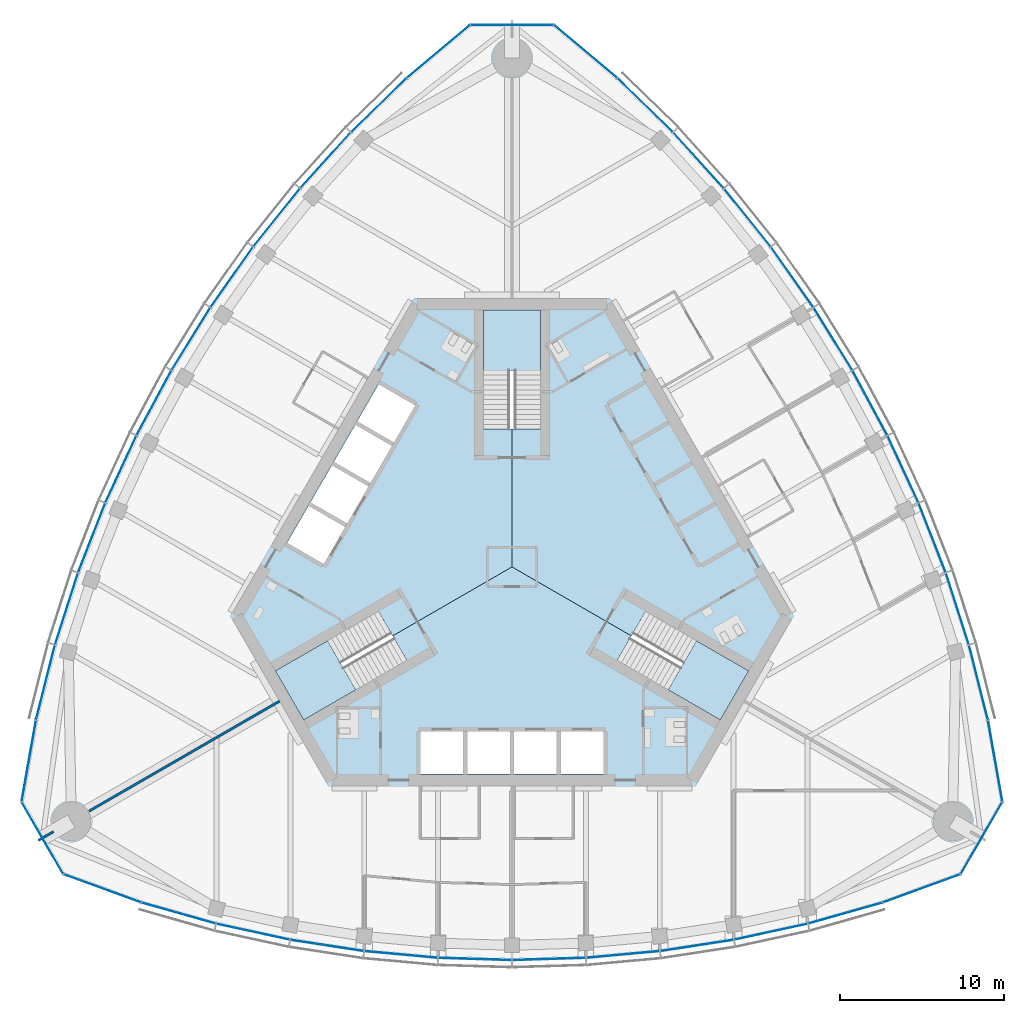
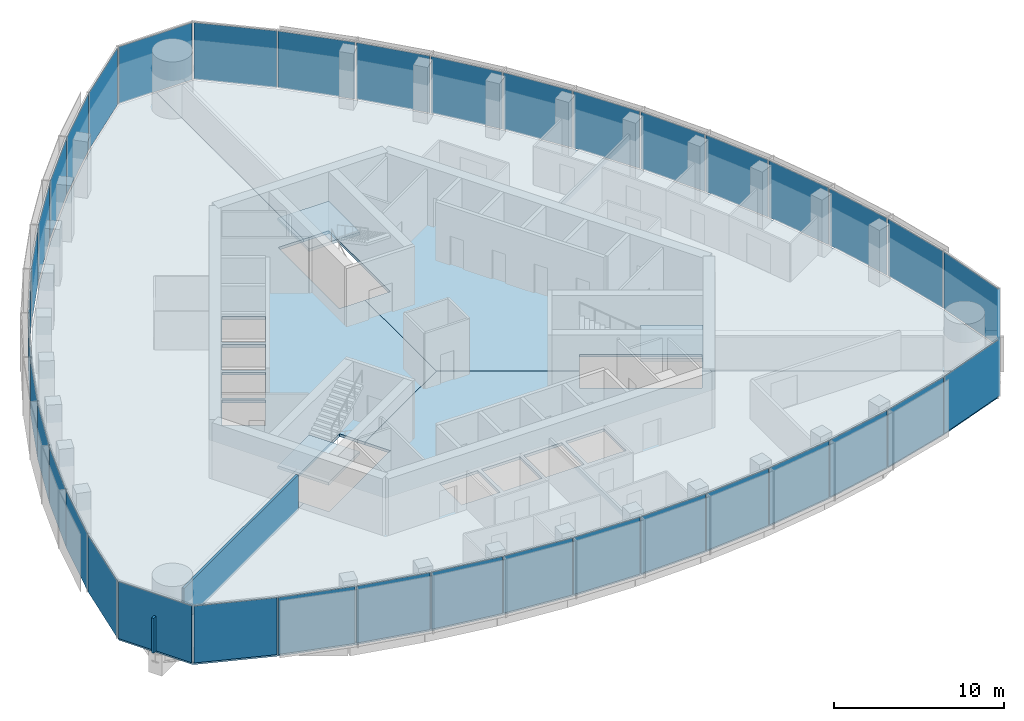
# One storey, part 7 of 16: 39 plates, 6 slabs, 2 walls, 9 elements without a shape of their own.
"""IFC4 building model written with IfcOpenShell, lengths in metres."""

from ifc_helpers import new_model, si_unit, direction, frame, frame_2d, origin, origin_2d, place, context, subcontext, project, spatial, polyline, rectangle, outline, extrude, material, layer, layer_set, type_object, element, aggregate, save


model = new_model("IFC4")

# Units and contexts
model_context = context("Model", 3, precision=1e-05, world=origin(), true_north=direction((0.0, 1.0)))
body_context = subcontext(model_context, "Body", "Model", "MODEL_VIEW")
ifc_project = project(units=[si_unit("LENGTHUNIT", "METRE"), si_unit("AREAUNIT", "SQUARE_METRE"), si_unit("VOLUMEUNIT", "CUBIC_METRE"), si_unit("PLANEANGLEUNIT", "RADIAN"), si_unit("MASSUNIT", "GRAM", prefix="KILO")], contexts=[model_context])

# Site, building, storey
site_placement = place(None, origin())
site = spatial("IfcSite", under=ifc_project, at=site_placement, CompositionType="ELEMENT")
building_placement = place(site_placement, origin())
building = spatial("IfcBuilding", under=site, at=building_placement, Name="Trefoil Bronze Tower", CompositionType="ELEMENT")
storey_placement = place(building_placement, frame((0.0, 0.0, 297.300048828125)))
storey = spatial("IfcBuildingStorey", under=building, at=storey_placement, Name="L68", CompositionType="ELEMENT", Elevation=297.300048828125)

# Curtain wall, plates
ifc_material_1 = material(Name="Tinted solar-control glass", Category="glass")
curtain_wall_type_1 = type_object("IfcCurtainWallType", Name="Bronze office curtain wall", PredefinedType="USERDEFINED", material=ifc_material_1)
curtain_wall_1_placement = place(storey_placement, origin())
curtain_wall_1 = element("IfcCurtainWall", 1, at=curtain_wall_1_placement, inside=storey, type_object=curtain_wall_type_1, Name="CW-A L68 F1", ObjectType="CURTAIN WALL", PredefinedType="USERDEFINED")
ifc_material_2 = material(Name="Tinted solar-control glass", Category="glass")
ifc_layer_1 = layer(ifc_material_2, 0.030029296875)
ifc_layer_set_1 = layer_set([ifc_layer_1], Name="Bronze office curtain wall glass panel")
plate_type_1 = type_object("IfcPlateType", Name="Bronze office curtain wall glass panel", PredefinedType="CURTAIN_PANEL", material=ifc_layer_set_1)
plate_1_placement = place(storey_placement, frame((-20.301513671875, -21.092529296875, 0.0), z_axis=(0.0, 0.0, 1.0), x_axis=(0.962097746943, -0.272704831875, 0.0)))
plate_1 = element("IfcPlate", 2, at=plate_1_placement, type_object=plate_type_1, Name="CW-A L68 F1 panel 1", PredefinedType="CURTAIN_PANEL", context=body_context, shape_type="SweptSolid", body=[
    extrude(rectangle(XDim=4.6474609375, YDim=0.030029296875, at=origin_2d()), origin(), (0.0, 0.0, 1.0), 4.080078125),
])
plate_2_placement = place(storey_placement, frame((-15.771240234375, -22.226318359375, 0.0), z_axis=(0.0, 0.0, 1.0), x_axis=(0.977303138829, -0.211845639168, 0.0)))
plate_2 = element("IfcPlate", 3, at=plate_2_placement, type_object=plate_type_1, Name="CW-A L68 F1 panel 2", PredefinedType="CURTAIN_PANEL", context=body_context, shape_type="SweptSolid", body=[
    extrude(rectangle(XDim=4.5244140625, YDim=0.030029296875, at=origin_2d()), origin(), (0.0, 0.0, 1.0), 4.080078125),
])
plate_3_placement = place(storey_placement, frame((-11.26513671875, -23.0595703125, 0.0), z_axis=(0.0, 0.0, 1.0), x_axis=(0.988485337216, -0.151316681529, 0.0)))
plate_3 = element("IfcPlate", 4, at=plate_3_placement, type_object=plate_type_1, Name="CW-A L68 F1 panel 3", PredefinedType="CURTAIN_PANEL", context=body_context, shape_type="SweptSolid", body=[
    extrude(rectangle(XDim=4.472412109375, YDim=0.030029296875, at=origin_2d()), origin(), (0.0, 0.0, 1.0), 4.080078125),
])
plate_4_placement = place(storey_placement, frame((-6.759033203125, -23.60986328125, 0.0), z_axis=(0.0, 0.0, 1.0), x_axis=(0.99587011625, -0.090789380212, 0.0)))
plate_4 = element("IfcPlate", 5, at=plate_4_placement, type_object=plate_type_1, Name="CW-A L68 F1 panel 4", PredefinedType="CURTAIN_PANEL", context=body_context, shape_type="SweptSolid", body=[
    extrude(rectangle(XDim=4.438720703125, YDim=0.030029296875, at=origin_2d()), origin(), (0.0, 0.0, 1.0), 4.080078125),
])
plate_5_placement = place(storey_placement, frame((-2.2529296875, -23.883544921875, 0.0), z_axis=(0.0, 0.0, 1.0), x_axis=(0.999541969785, -0.030263024264, 0.0)))
plate_5 = element("IfcPlate", 6, at=plate_5_placement, type_object=plate_type_1, Name="CW-A L68 F1 panel 5", PredefinedType="CURTAIN_PANEL", context=body_context, shape_type="SweptSolid", body=[
    extrude(rectangle(XDim=4.422119140625, YDim=0.030029296875, at=origin_2d()), origin(), (0.0, 0.0, 1.0), 4.080078125),
])
plate_6_placement = place(storey_placement, frame((2.2529296875, -23.883544921875, 0.0), z_axis=(0.0, 0.0, 1.0), x_axis=(0.999541969785, 0.030263024264, 0.0)))
plate_6 = element("IfcPlate", 7, at=plate_6_placement, type_object=plate_type_1, Name="CW-A L68 F1 panel 6", PredefinedType="CURTAIN_PANEL", context=body_context, shape_type="SweptSolid", body=[
    extrude(rectangle(XDim=4.422119140625, YDim=0.030029296875, at=origin_2d()), origin(), (0.0, 0.0, 1.0), 4.080078125),
])
plate_7_placement = place(storey_placement, frame((6.759033203125, -23.60986328125, 0.0), z_axis=(0.0, 0.0, 1.0), x_axis=(0.99587011625, 0.090789380212, 0.0)))
plate_7 = element("IfcPlate", 8, at=plate_7_placement, type_object=plate_type_1, Name="CW-A L68 F1 panel 7", PredefinedType="CURTAIN_PANEL", context=body_context, shape_type="SweptSolid", body=[
    extrude(rectangle(XDim=4.438720703125, YDim=0.030029296875, at=origin_2d()), origin(), (0.0, 0.0, 1.0), 4.080078125),
])
plate_8_placement = place(storey_placement, frame((11.26513671875, -23.0595703125, 0.0), z_axis=(0.0, 0.0, 1.0), x_axis=(0.988485337216, 0.151316681529, 0.0)))
plate_8 = element("IfcPlate", 9, at=plate_8_placement, type_object=plate_type_1, Name="CW-A L68 F1 panel 8", PredefinedType="CURTAIN_PANEL", context=body_context, shape_type="SweptSolid", body=[
    extrude(rectangle(XDim=4.472412109375, YDim=0.030029296875, at=origin_2d()), origin(), (0.0, 0.0, 1.0), 4.080078125),
])
plate_9_placement = place(storey_placement, frame((15.771240234375, -22.226318359375, 0.0), z_axis=(0.0, 0.0, 1.0), x_axis=(0.977303138829, 0.211845639168, 0.0)))
plate_9 = element("IfcPlate", 10, at=plate_9_placement, type_object=plate_type_1, Name="CW-A L68 F1 panel 9", PredefinedType="CURTAIN_PANEL", context=body_context, shape_type="SweptSolid", body=[
    extrude(rectangle(XDim=4.5244140625, YDim=0.030029296875, at=origin_2d()), origin(), (0.0, 0.0, 1.0), 4.080078125),
])
plate_10_placement = place(storey_placement, frame((20.301513671875, -21.092529296875, 0.0), z_axis=(0.0, 0.0, 1.0), x_axis=(0.962097746943, 0.272704831875, 0.0)))
plate_10 = element("IfcPlate", 11, at=plate_10_placement, type_object=plate_type_1, Name="CW-A L68 F1 panel 10", PredefinedType="CURTAIN_PANEL", context=body_context, shape_type="SweptSolid", body=[
    extrude(rectangle(XDim=4.6474609375, YDim=0.030029296875, at=origin_2d()), origin(), (0.0, 0.0, 1.0), 4.080078125),
])
aggregate(curtain_wall_1, [plate_1, plate_2, plate_3, plate_4, plate_5, plate_6, plate_7, plate_8, plate_9, plate_10])

curtain_wall_2_placement = place(storey_placement, origin())
curtain_wall_2 = element("IfcCurtainWall", 12, at=curtain_wall_2_placement, inside=storey, type_object=curtain_wall_type_1, Name="CW-A L68 F2", ObjectType="CURTAIN WALL", PredefinedType="USERDEFINED")
plate_11_placement = place(storey_placement, frame((28.417236328125, -7.035400390625, 0.0), z_axis=(0.0, 0.0, 1.0), x_axis=(-0.244879561333, 0.969553505713, 0.0)))
plate_11 = element("IfcPlate", 13, at=plate_11_placement, type_object=plate_type_1, Name="CW-A L68 F2 panel 1", PredefinedType="CURTAIN_PANEL", context=body_context, shape_type="SweptSolid", body=[
    extrude(rectangle(XDim=4.6474609375, YDim=0.030029296875, at=origin_2d()), origin(), (0.0, 0.0, 1.0), 4.080078125),
])
plate_12_placement = place(storey_placement, frame((27.134033203125, -2.545166015625, 0.0), z_axis=(0.0, 0.0, 1.0), x_axis=(-0.305187864214, 0.952292165009, 0.0)))
plate_12 = element("IfcPlate", 14, at=plate_12_placement, type_object=plate_type_1, Name="CW-A L68 F2 panel 2", PredefinedType="CURTAIN_PANEL", context=body_context, shape_type="SweptSolid", body=[
    extrude(rectangle(XDim=4.5244140625, YDim=0.030029296875, at=origin_2d()), origin(), (0.0, 0.0, 1.0), 4.080078125),
])
plate_13_placement = place(storey_placement, frame((25.602783203125, 1.77392578125, 0.0), z_axis=(0.0, 0.0, 1.0), x_axis=(-0.363198578387, 0.931711754062, 0.0)))
plate_13 = element("IfcPlate", 15, at=plate_13_placement, type_object=plate_type_1, Name="CW-A L68 F2 panel 3", PredefinedType="CURTAIN_PANEL", context=body_context, shape_type="SweptSolid", body=[
    extrude(rectangle(XDim=4.472412109375, YDim=0.030029296875, at=origin_2d()), origin(), (0.0, 0.0, 1.0), 4.080078125),
])
plate_14_placement = place(storey_placement, frame((23.826171875, 5.951416015625, 0.0), z_axis=(0.0, 0.0, 1.0), x_axis=(-0.419309148468, 0.907843509649, 0.0)))
plate_14 = element("IfcPlate", 16, at=plate_14_placement, type_object=plate_type_1, Name="CW-A L68 F2 panel 4", PredefinedType="CURTAIN_PANEL", context=body_context, shape_type="SweptSolid", body=[
    extrude(rectangle(XDim=4.438720703125, YDim=0.030029296875, at=origin_2d()), origin(), (0.0, 0.0, 1.0), 4.080078125),
])
plate_15_placement = place(storey_placement, frame((21.81005859375, 9.990478515625, 0.0), z_axis=(0.0, 0.0, 1.0), x_axis=(-0.473562437085, 0.880760250115, 0.0)))
plate_15 = element("IfcPlate", 17, at=plate_15_placement, type_object=plate_type_1, Name="CW-A L68 F2 panel 5", PredefinedType="CURTAIN_PANEL", context=body_context, shape_type="SweptSolid", body=[
    extrude(rectangle(XDim=4.422119140625, YDim=0.030029296875, at=origin_2d()), origin(), (0.0, 0.0, 1.0), 4.080078125),
])
plate_16_placement = place(storey_placement, frame((19.55712890625, 13.892822265625, 0.0), z_axis=(0.0, 0.0, 1.0), x_axis=(-0.525979532701, 0.850497225851, 0.0)))
plate_16 = element("IfcPlate", 18, at=plate_16_placement, type_object=plate_type_1, Name="CW-A L68 F2 panel 6", PredefinedType="CURTAIN_PANEL", context=body_context, shape_type="SweptSolid", body=[
    extrude(rectangle(XDim=4.422119140625, YDim=0.030029296875, at=origin_2d()), origin(), (0.0, 0.0, 1.0), 4.080078125),
])
plate_17_placement = place(storey_placement, frame((17.067138671875, 17.658447265625, 0.0), z_axis=(0.0, 0.0, 1.0), x_axis=(-0.576560967783, 0.817054129437, 0.0)))
plate_17 = element("IfcPlate", 19, at=plate_17_placement, type_object=plate_type_1, Name="CW-A L68 F2 panel 7", PredefinedType="CURTAIN_PANEL", context=body_context, shape_type="SweptSolid", body=[
    extrude(rectangle(XDim=4.438720703125, YDim=0.030029296875, at=origin_2d()), origin(), (0.0, 0.0, 1.0), 4.080078125),
])
plate_18_placement = place(storey_placement, frame((14.337646484375, 21.28564453125, 0.0), z_axis=(0.0, 0.0, 1.0), x_axis=(-0.625286758829, 0.780395072533, 0.0)))
plate_18 = element("IfcPlate", 20, at=plate_18_placement, type_object=plate_type_1, Name="CW-A L68 F2 panel 8", PredefinedType="CURTAIN_PANEL", context=body_context, shape_type="SweptSolid", body=[
    extrude(rectangle(XDim=4.472412109375, YDim=0.030029296875, at=origin_2d()), origin(), (0.0, 0.0, 1.0), 4.080078125),
])
plate_19_placement = place(storey_placement, frame((11.36279296875, 24.771484375, 0.0), z_axis=(0.0, 0.0, 1.0), x_axis=(-0.672115274615, 0.74044652584, 0.0)))
plate_19 = element("IfcPlate", 21, at=plate_19_placement, type_object=plate_type_1, Name="CW-A L68 F2 panel 9", PredefinedType="CURTAIN_PANEL", context=body_context, shape_type="SweptSolid", body=[
    extrude(rectangle(XDim=4.5244140625, YDim=0.030029296875, at=origin_2d()), origin(), (0.0, 0.0, 1.0), 4.080078125),
])
plate_20_placement = place(storey_placement, frame((8.115966796875, 28.127685546875, 0.0), z_axis=(0.0, 0.0, 1.0), x_axis=(-0.71721818561, 0.696848673839, 0.0)))
plate_20 = element("IfcPlate", 22, at=plate_20_placement, type_object=plate_type_1, Name="CW-A L68 F2 panel 10", PredefinedType="CURTAIN_PANEL", context=body_context, shape_type="SweptSolid", body=[
    extrude(rectangle(XDim=4.6474609375, YDim=0.030029296875, at=origin_2d()), origin(), (0.0, 0.0, 1.0), 4.080078125),
])
aggregate(curtain_wall_2, [plate_11, plate_12, plate_13, plate_14, plate_15, plate_16, plate_17, plate_18, plate_19, plate_20])

curtain_wall_3_placement = place(storey_placement, origin())
curtain_wall_3 = element("IfcCurtainWall", 23, at=curtain_wall_3_placement, inside=storey, type_object=curtain_wall_type_1, Name="CW-A L68 F3", ObjectType="CURTAIN WALL", PredefinedType="USERDEFINED")
plate_21_placement = place(storey_placement, frame((-8.115966796875, 28.127685546875, 0.0), z_axis=(0.0, 0.0, 1.0), x_axis=(-0.71721818561, -0.696848673839, 0.0)))
plate_21 = element("IfcPlate", 24, at=plate_21_placement, type_object=plate_type_1, Name="CW-A L68 F3 panel 1", PredefinedType="CURTAIN_PANEL", context=body_context, shape_type="SweptSolid", body=[
    extrude(rectangle(XDim=4.6474609375, YDim=0.030029296875, at=origin_2d()), origin(), (0.0, 0.0, 1.0), 4.080078125),
])
plate_22_placement = place(storey_placement, frame((-11.36279296875, 24.771484375, 0.0), z_axis=(0.0, 0.0, 1.0), x_axis=(-0.672115274615, -0.74044652584, 0.0)))
plate_22 = element("IfcPlate", 25, at=plate_22_placement, type_object=plate_type_1, Name="CW-A L68 F3 panel 2", PredefinedType="CURTAIN_PANEL", context=body_context, shape_type="SweptSolid", body=[
    extrude(rectangle(XDim=4.5244140625, YDim=0.030029296875, at=origin_2d()), origin(), (0.0, 0.0, 1.0), 4.080078125),
])
plate_23_placement = place(storey_placement, frame((-14.337646484375, 21.28564453125, 0.0), z_axis=(0.0, 0.0, 1.0), x_axis=(-0.625286758829, -0.780395072533, 0.0)))
plate_23 = element("IfcPlate", 26, at=plate_23_placement, type_object=plate_type_1, Name="CW-A L68 F3 panel 3", PredefinedType="CURTAIN_PANEL", context=body_context, shape_type="SweptSolid", body=[
    extrude(rectangle(XDim=4.472412109375, YDim=0.030029296875, at=origin_2d()), origin(), (0.0, 0.0, 1.0), 4.080078125),
])
plate_24_placement = place(storey_placement, frame((-17.067138671875, 17.658447265625, 0.0), z_axis=(0.0, 0.0, 1.0), x_axis=(-0.576560967783, -0.817054129437, 0.0)))
plate_24 = element("IfcPlate", 27, at=plate_24_placement, type_object=plate_type_1, Name="CW-A L68 F3 panel 4", PredefinedType="CURTAIN_PANEL", context=body_context, shape_type="SweptSolid", body=[
    extrude(rectangle(XDim=4.438720703125, YDim=0.030029296875, at=origin_2d()), origin(), (0.0, 0.0, 1.0), 4.080078125),
])
plate_25_placement = place(storey_placement, frame((-19.55712890625, 13.892822265625, 0.0), z_axis=(0.0, 0.0, 1.0), x_axis=(-0.525979532701, -0.850497225851, 0.0)))
plate_25 = element("IfcPlate", 28, at=plate_25_placement, type_object=plate_type_1, Name="CW-A L68 F3 panel 5", PredefinedType="CURTAIN_PANEL", context=body_context, shape_type="SweptSolid", body=[
    extrude(rectangle(XDim=4.422119140625, YDim=0.030029296875, at=origin_2d()), origin(), (0.0, 0.0, 1.0), 4.080078125),
])
plate_26_placement = place(storey_placement, frame((-21.81005859375, 9.990478515625, 0.0), z_axis=(0.0, 0.0, 1.0), x_axis=(-0.473562437085, -0.880760250115, 0.0)))
plate_26 = element("IfcPlate", 29, at=plate_26_placement, type_object=plate_type_1, Name="CW-A L68 F3 panel 6", PredefinedType="CURTAIN_PANEL", context=body_context, shape_type="SweptSolid", body=[
    extrude(rectangle(XDim=4.422119140625, YDim=0.030029296875, at=origin_2d()), origin(), (0.0, 0.0, 1.0), 4.080078125),
])
plate_27_placement = place(storey_placement, frame((-23.826171875, 5.951416015625, 0.0), z_axis=(0.0, 0.0, 1.0), x_axis=(-0.419309148468, -0.907843509649, 0.0)))
plate_27 = element("IfcPlate", 30, at=plate_27_placement, type_object=plate_type_1, Name="CW-A L68 F3 panel 7", PredefinedType="CURTAIN_PANEL", context=body_context, shape_type="SweptSolid", body=[
    extrude(rectangle(XDim=4.438720703125, YDim=0.030029296875, at=origin_2d()), origin(), (0.0, 0.0, 1.0), 4.080078125),
])
plate_28_placement = place(storey_placement, frame((-25.602783203125, 1.77392578125, 0.0), z_axis=(0.0, 0.0, 1.0), x_axis=(-0.363198578387, -0.931711754062, 0.0)))
plate_28 = element("IfcPlate", 31, at=plate_28_placement, type_object=plate_type_1, Name="CW-A L68 F3 panel 8", PredefinedType="CURTAIN_PANEL", context=body_context, shape_type="SweptSolid", body=[
    extrude(rectangle(XDim=4.472412109375, YDim=0.030029296875, at=origin_2d()), origin(), (0.0, 0.0, 1.0), 4.080078125),
])
plate_29_placement = place(storey_placement, frame((-27.134033203125, -2.545166015625, 0.0), z_axis=(0.0, 0.0, 1.0), x_axis=(-0.305187864214, -0.952292165009, 0.0)))
plate_29 = element("IfcPlate", 32, at=plate_29_placement, type_object=plate_type_1, Name="CW-A L68 F3 panel 9", PredefinedType="CURTAIN_PANEL", context=body_context, shape_type="SweptSolid", body=[
    extrude(rectangle(XDim=4.5244140625, YDim=0.030029296875, at=origin_2d()), origin(), (0.0, 0.0, 1.0), 4.080078125),
])
plate_30_placement = place(storey_placement, frame((-28.417236328125, -7.035400390625, 0.0), z_axis=(0.0, 0.0, 1.0), x_axis=(-0.244879561333, -0.969553505713, 0.0)))
plate_30 = element("IfcPlate", 33, at=plate_30_placement, type_object=plate_type_1, Name="CW-A L68 F3 panel 10", PredefinedType="CURTAIN_PANEL", context=body_context, shape_type="SweptSolid", body=[
    extrude(rectangle(XDim=4.6474609375, YDim=0.030029296875, at=origin_2d()), origin(), (0.0, 0.0, 1.0), 4.080078125),
])
aggregate(curtain_wall_3, [plate_21, plate_22, plate_23, plate_24, plate_25, plate_26, plate_27, plate_28, plate_29, plate_30])

ifc_material_3 = material(Name="Tinted solar-control glass", Category="glass")
curtain_wall_type_2 = type_object("IfcCurtainWallType", Name="Bronze rounded corner curtain wall", PredefinedType="USERDEFINED", material=ifc_material_3)
curtain_wall_4_placement = place(storey_placement, origin())
curtain_wall_4 = element("IfcCurtainWall", 34, at=curtain_wall_4_placement, inside=storey, type_object=curtain_wall_type_2, Name="CW-B L68 K1", ObjectType="CURTAIN WALL", PredefinedType="USERDEFINED")
ifc_material_4 = material(Name="Tinted solar-control glass", Category="glass")
ifc_layer_2 = layer(ifc_material_4, 0.030029296875)
ifc_layer_set_2 = layer_set([ifc_layer_2], Name="Bronze rounded corner curtain wall glass panel")
plate_type_2 = type_object("IfcPlateType", Name="Bronze rounded corner curtain wall glass panel", PredefinedType="CURTAIN_PANEL", material=ifc_layer_set_2)
plate_31_placement = place(storey_placement, frame((24.939453125, -19.587646484375, 0.0), z_axis=(0.0, 0.0, 1.0), x_axis=(0.939692620786, 0.342020143326, 0.0)))
plate_31 = element("IfcPlate", 35, at=plate_31_placement, type_object=plate_type_2, Name="CW-B L68 K1 panel 1", PredefinedType="CURTAIN_PANEL", context=body_context, shape_type="SweptSolid", body=[
    extrude(rectangle(XDim=4.956298828125, YDim=0.030029296875, at=origin_2d()), origin(), (0.0, 0.0, 1.0), 4.080078125),
])
plate_32_placement = place(storey_placement, frame((28.602783203125, -16.513916015625, 0.0), z_axis=(0.0, 0.0, 1.0), x_axis=(0.5, 0.866025403784, 0.0)))
plate_32 = element("IfcPlate", 36, at=plate_32_placement, type_object=plate_type_2, Name="CW-B L68 K1 panel 2", PredefinedType="CURTAIN_PANEL", context=body_context, shape_type="SweptSolid", body=[
    extrude(rectangle(XDim=4.956298828125, YDim=0.030029296875, at=origin_2d()), origin(), (0.0, 0.0, 1.0), 4.080078125),
])
plate_33_placement = place(storey_placement, frame((29.43310546875, -11.80419921875, 0.0), z_axis=(0.0, 0.0, 1.0), x_axis=(-0.173648177667, 0.984807753012, 0.0)))
plate_33 = element("IfcPlate", 37, at=plate_33_placement, type_object=plate_type_2, Name="CW-B L68 K1 panel 3", PredefinedType="CURTAIN_PANEL", context=body_context, shape_type="SweptSolid", body=[
    extrude(rectangle(XDim=4.956298828125, YDim=0.030029296875, at=origin_2d()), origin(), (0.0, 0.0, 1.0), 4.080078125),
])
aggregate(curtain_wall_4, [plate_31, plate_32, plate_33])

curtain_wall_5_placement = place(storey_placement, origin())
curtain_wall_5 = element("IfcCurtainWall", 38, at=curtain_wall_5_placement, inside=storey, type_object=curtain_wall_type_2, Name="CW-B L68 K2", ObjectType="CURTAIN WALL", PredefinedType="USERDEFINED")
plate_34_placement = place(storey_placement, frame((4.493896484375, 31.39208984375, 0.0), z_axis=(0.0, 0.0, 1.0), x_axis=(-0.766044443119, 0.642787609687, 0.0)))
plate_34 = element("IfcPlate", 39, at=plate_34_placement, type_object=plate_type_2, Name="CW-B L68 K2 panel 1", PredefinedType="CURTAIN_PANEL", context=body_context, shape_type="SweptSolid", body=[
    extrude(rectangle(XDim=4.956298828125, YDim=0.030029296875, at=origin_2d()), origin(), (0.0, 0.0, 1.0), 4.080078125),
])
plate_35_placement = place(storey_placement, frame((0.0, 33.027587890625, 0.0), z_axis=(0.0, 0.0, 1.0), x_axis=(-1.0, 0.0, 0.0)))
plate_35 = element("IfcPlate", 40, at=plate_35_placement, type_object=plate_type_2, Name="CW-B L68 K2 panel 2", PredefinedType="CURTAIN_PANEL", context=body_context, shape_type="SweptSolid", body=[
    extrude(rectangle(XDim=4.956298828125, YDim=0.030029296875, at=origin_2d()), origin(), (0.0, 0.0, 1.0), 4.080078125),
])
plate_36_placement = place(storey_placement, frame((-4.493896484375, 31.39208984375, 0.0), z_axis=(0.0, 0.0, 1.0), x_axis=(-0.766044443119, -0.642787609687, 0.0)))
plate_36 = element("IfcPlate", 41, at=plate_36_placement, type_object=plate_type_2, Name="CW-B L68 K2 panel 3", PredefinedType="CURTAIN_PANEL", context=body_context, shape_type="SweptSolid", body=[
    extrude(rectangle(XDim=4.956298828125, YDim=0.030029296875, at=origin_2d()), origin(), (0.0, 0.0, 1.0), 4.080078125),
])
aggregate(curtain_wall_5, [plate_34, plate_35, plate_36])

curtain_wall_6_placement = place(storey_placement, origin())
curtain_wall_6 = element("IfcCurtainWall", 42, at=curtain_wall_6_placement, inside=storey, type_object=curtain_wall_type_2, Name="CW-B L68 K3", ObjectType="CURTAIN WALL", PredefinedType="USERDEFINED")
plate_37_placement = place(storey_placement, frame((-29.43310546875, -11.80419921875, 0.0), z_axis=(0.0, 0.0, 1.0), x_axis=(-0.173648177667, -0.984807753012, 0.0)))
plate_37 = element("IfcPlate", 43, at=plate_37_placement, type_object=plate_type_2, Name="CW-B L68 K3 panel 1", PredefinedType="CURTAIN_PANEL", context=body_context, shape_type="SweptSolid", body=[
    extrude(rectangle(XDim=4.956298828125, YDim=0.030029296875, at=origin_2d()), origin(), (0.0, 0.0, 1.0), 4.080078125),
])
plate_38_placement = place(storey_placement, frame((-28.602783203125, -16.513916015625, 0.0), z_axis=(0.0, 0.0, 1.0), x_axis=(0.5, -0.866025403784, 0.0)))
plate_38 = element("IfcPlate", 44, at=plate_38_placement, type_object=plate_type_2, Name="CW-B L68 K3 panel 2", PredefinedType="CURTAIN_PANEL", context=body_context, shape_type="SweptSolid", body=[
    extrude(rectangle(XDim=4.956298828125, YDim=0.030029296875, at=origin_2d()), origin(), (0.0, 0.0, 1.0), 4.080078125),
])
plate_39_placement = place(storey_placement, frame((-24.939453125, -19.587646484375, 0.0), z_axis=(0.0, 0.0, 1.0), x_axis=(0.939692620786, -0.342020143326, 0.0)))
plate_39 = element("IfcPlate", 45, at=plate_39_placement, type_object=plate_type_2, Name="CW-B L68 K3 panel 3", PredefinedType="CURTAIN_PANEL", context=body_context, shape_type="SweptSolid", body=[
    extrude(rectangle(XDim=4.956298828125, YDim=0.030029296875, at=origin_2d()), origin(), (0.0, 0.0, 1.0), 4.080078125),
])
aggregate(curtain_wall_6, [plate_37, plate_38, plate_39])

# Slabs
ifc_material_5 = material(Name="Concrete B30", Category="concrete")
ifc_layer_3 = layer(ifc_material_5, 0.199951171875)
ifc_layer_set_3 = layer_set([ifc_layer_3], Name="Floor slab 200")
slab_type_1 = type_object("IfcSlabType", Name="Floor slab 200", PredefinedType="FLOOR", material=ifc_layer_set_3)
slab_1_placement = place(storey_placement, frame((0.0, 0.0, -0.199951171875)))
element("IfcSlab", 46, at=slab_1_placement, inside=storey, type_object=slab_type_1, Name="Floor slab L68 face 1", PredefinedType="FLOOR", context=body_context, shape_type="SweptSolid", body=[
    extrude(outline(polyline([(13.5, -22.6162109375), (9.0, -23.30517578125), (4.5, -23.71533203125), (0.0, -23.8515625), (-4.5, -23.71533203125), (-9.0, -23.30517578125), (-13.5, -22.6162109375), (-18.0, -21.640869140625), (-22.54833984375, -20.3515625), (-27.261962890625, -18.635986328125), (-28.51611328125, -16.4638671875), (-13.510009765625, -7.800048828125), (-12.6474609375, -9.2939453125), (-6.412109375, -5.69384765625), (-7.274658203125, -4.199951171875), (0.0, 0.0), (7.274658203125, -4.199951171875), (6.412109375, -5.69384765625), (12.6474609375, -9.2939453125), (13.510009765625, -7.800048828125), (28.51611328125, -16.4638671875), (27.261962890625, -18.635986328125), (22.54833984375, -20.3515625), (18.0, -21.640869140625), (13.5, -22.6162109375)]), holes=[polyline([(-5.574951171875, -10.02490234375), (-2.97509765625, -10.02490234375), (-2.97509765625, -12.60009765625), (-5.574951171875, -12.60009765625), (-5.574951171875, -10.02490234375)]), polyline([(-2.72509765625, -10.02490234375), (-0.125, -10.02490234375), (-0.125, -12.60009765625), (-2.72509765625, -12.60009765625), (-2.72509765625, -10.02490234375)]), polyline([(0.125, -10.02490234375), (2.72509765625, -10.02490234375), (2.72509765625, -12.60009765625), (0.125, -12.60009765625), (0.125, -10.02490234375)]), polyline([(2.97509765625, -10.02490234375), (5.574951171875, -10.02490234375), (5.574951171875, -12.60009765625), (2.97509765625, -12.60009765625), (2.97509765625, -10.02490234375)])]), origin(), (0.0, 0.0, 1.0), 0.199951171875),
])
slab_2_placement = place(storey_placement, frame((0.0, 0.0, -0.199951171875)))
element("IfcSlab", 47, at=slab_2_placement, inside=storey, type_object=slab_type_1, Name="Floor slab L68 face 2", PredefinedType="FLOOR", context=body_context, shape_type="SweptSolid", body=[
    extrude(outline(polyline([(12.836181640625, 22.99951171875), (15.682861328125, 19.44677734375), (18.2880859375, 15.7548828125), (20.656005859375, 11.92578125), (22.7880859375, 7.96044921875), (24.682861328125, 3.8583984375), (26.336181640625, -0.38330078125), (27.741455078125, -4.76806640625), (28.899169921875, -9.3515625), (29.770263671875, -14.291748046875), (28.51611328125, -16.4638671875), (13.510009765625, -7.800048828125), (14.37255859375, -6.30615234375), (8.13720703125, -2.7060546875), (7.274658203125, -4.199951171875), (0.0, 0.0), (0.0, 8.39990234375), (1.72509765625, 8.39990234375), (1.72509765625, 15.60009765625), (0.0, 15.60009765625), (0.0, 32.927490234375), (2.508056640625, 32.927490234375), (6.350830078125, 29.703125), (9.741455078125, 26.408935546875), (12.836181640625, 22.99951171875)])), origin(), (0.0, 0.0, 1.0), 0.199951171875),
])
slab_3_placement = place(storey_placement, frame((0.0, 0.0, -0.199951171875)))
element("IfcSlab", 48, at=slab_3_placement, inside=storey, type_object=slab_type_1, Name="Floor slab L68 face 3", PredefinedType="FLOOR", context=body_context, shape_type="SweptSolid", body=[
    extrude(outline(polyline([(-26.336181640625, -0.38330078125), (-24.682861328125, 3.8583984375), (-22.7880859375, 7.96044921875), (-20.656005859375, 11.92578125), (-18.2880859375, 15.7548828125), (-15.682861328125, 19.44677734375), (-12.836181640625, 22.99951171875), (-9.741455078125, 26.408935546875), (-6.350830078125, 29.703125), (-2.508056640625, 32.927490234375), (0.0, 32.927490234375), (0.0, 15.60009765625), (-1.72509765625, 15.60009765625), (-1.72509765625, 8.39990234375), (0.0, 8.39990234375), (0.0, 0.0), (-7.274658203125, -4.199951171875), (-8.13720703125, -2.7060546875), (-14.37255859375, -6.30615234375), (-13.510009765625, -7.800048828125), (-28.51611328125, -16.4638671875), (-29.770263671875, -14.291748046875), (-28.899169921875, -9.3515625), (-27.741455078125, -4.76806640625), (-26.336181640625, -0.38330078125)]), holes=[polyline([(-5.894287109375, 9.840576171875), (-7.1943359375, 7.5888671875), (-9.42431640625, 8.87646484375), (-8.12451171875, 11.128173828125), (-5.894287109375, 9.840576171875)]), polyline([(-7.3193359375, 7.372314453125), (-8.619384765625, 5.120849609375), (-10.849365234375, 6.408203125), (-9.54931640625, 8.659912109375), (-7.3193359375, 7.372314453125)]), polyline([(-8.744384765625, 4.904296875), (-10.04443359375, 2.652587890625), (-12.2744140625, 3.940185546875), (-10.974365234375, 6.191650390625), (-8.744384765625, 4.904296875)]), polyline([(-10.16943359375, 2.43603515625), (-11.469482421875, 0.184326171875), (-13.699462890625, 1.471923828125), (-12.3994140625, 3.7236328125), (-10.16943359375, 2.43603515625)])]), origin(), (0.0, 0.0, 1.0), 0.199951171875),
])

# Stair, slab
ifc_material_6 = material(Name="Precast concrete B80", Category="concrete")
stair_type = type_object("IfcStairType", Name="Exit stair 26 risers", PredefinedType="HALF_TURN_STAIR", material=ifc_material_6)
stair_1_placement = place(storey_placement, origin())
stair_1 = element("IfcStair", 49, at=stair_1_placement, inside=storey, type_object=stair_type, Name="Stair ST1 L68", PredefinedType="HALF_TURN_STAIR")
ifc_material_7 = material(Name="Concrete B30", Category="concrete")
ifc_layer_4 = layer(ifc_material_7, 0.199951171875)
ifc_layer_set_4 = layer_set([ifc_layer_4], Name="Stair landing 200")
slab_type_2 = type_object("IfcSlabType", Name="Stair landing 200", PredefinedType="LANDING", material=ifc_layer_set_4)
slab_4_placement = place(storey_placement, frame((0.0, 0.0, 1.89990234375)))
slab_4 = element("IfcSlab", 50, at=slab_4_placement, type_object=slab_type_2, Name="ST1 landing 1", PredefinedType="LANDING", context=body_context, shape_type="SweptSolid", body=[
    extrude(outline(polyline([(9.512451171875, -7.48388671875), (12.69091796875, -9.31884765625), (14.415771484375, -6.3310546875), (11.237548828125, -4.49609375), (9.512451171875, -7.48388671875)])), origin(), (0.0, 0.0, 1.0), 0.199951171875),
])
aggregate(stair_1, [slab_4])

stair_2_placement = place(storey_placement, origin())
stair_2 = element("IfcStair", 51, at=stair_2_placement, inside=storey, type_object=stair_type, Name="Stair ST2 L68", PredefinedType="HALF_TURN_STAIR")
slab_5_placement = place(storey_placement, frame((0.0, 0.0, 1.89990234375)))
slab_5 = element("IfcSlab", 52, at=slab_5_placement, type_object=slab_type_2, Name="ST2 landing 1", PredefinedType="LANDING", context=body_context, shape_type="SweptSolid", body=[
    extrude(outline(polyline([(1.72509765625, 11.97998046875), (1.72509765625, 15.64990234375), (-1.72509765625, 15.64990234375), (-1.72509765625, 11.97998046875), (1.72509765625, 11.97998046875)])), origin(), (0.0, 0.0, 1.0), 0.199951171875),
])
aggregate(stair_2, [slab_5])

stair_3_placement = place(storey_placement, origin())
stair_3 = element("IfcStair", 53, at=stair_3_placement, inside=storey, type_object=stair_type, Name="Stair ST3 L68", PredefinedType="HALF_TURN_STAIR")
slab_6_placement = place(storey_placement, frame((0.0, 0.0, 1.89990234375)))
slab_6 = element("IfcSlab", 54, at=slab_6_placement, type_object=slab_type_2, Name="ST3 landing 1", PredefinedType="LANDING", context=body_context, shape_type="SweptSolid", body=[
    extrude(outline(polyline([(-11.237548828125, -4.49609375), (-14.415771484375, -6.3310546875), (-12.69091796875, -9.31884765625), (-9.512451171875, -7.48388671875), (-11.237548828125, -4.49609375)])), origin(), (0.0, 0.0, 1.0), 0.199951171875),
])
aggregate(stair_3, [slab_6])

# Walls
ifc_material_8 = material(Name="Gypsum board on steel studs", Category="steel")
ifc_layer_5 = layer(ifc_material_8, 0.14990234375)
ifc_layer_set_5 = layer_set([ifc_layer_5], Name="Party wall 150")
wall_type = type_object("IfcWallType", Name="Party wall 150", PredefinedType="PARTITIONING", material=ifc_layer_set_5)
wall_1_placement = place(storey_placement, frame((-14.159423828125, -8.175048828125, 0.0), z_axis=(0.0, 0.0, 1.0), x_axis=(-0.866026905467, -0.499997399001, 0.0)))
element("IfcWall", 55, at=wall_1_placement, inside=storey, type_object=wall_type, Name="Party wall K3 L68", PredefinedType="PARTITIONING", context=body_context, shape_type="SweptSolid", body=[
    extrude(rectangle(XDim=13.39990234375, YDim=0.14990234375, at=frame_2d((6.699951171875, 0.0))), origin(), (0.0, 0.0, 1.0), 2.5),
])
wall_2_placement = place(storey_placement, frame((-27.92919921875, -16.125, 0.0), z_axis=(0.0, 0.0, 1.0), x_axis=(-0.866086810508, -0.499893625349, 0.0)))
element("IfcWall", 56, at=wall_2_placement, inside=storey, type_object=wall_type, Name="Party wall K3 L68", PredefinedType="PARTITIONING", context=body_context, shape_type="SweptSolid", body=[
    extrude(rectangle(XDim=1.070068359375, YDim=0.14990234375, at=frame_2d((0.53515625, 0.0))), origin(), (0.0, 0.0, 1.0), 2.5),
])

save(model, "model.ifc")
